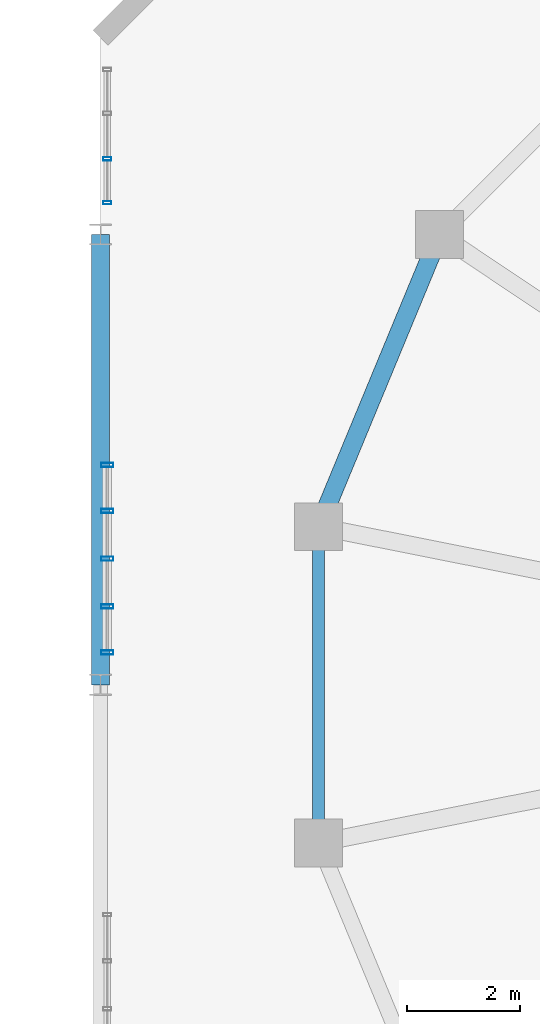
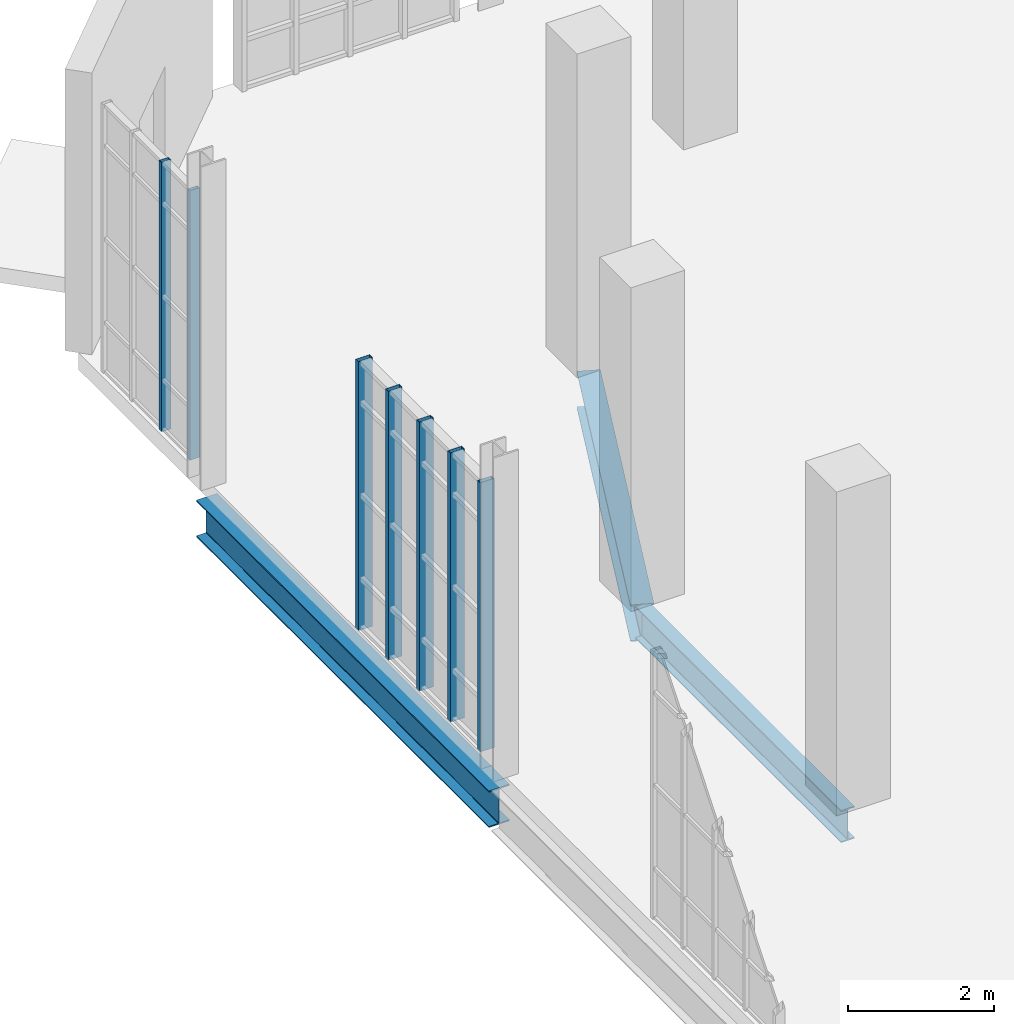
# One storey, part 80 of 189: 7 members, 3 beams, 2 elements without a shape of their own.
"""IFC4 building model written with IfcOpenShell, lengths in metres."""

from ifc_helpers import new_model, si_unit, direction, frame, origin, origin_2d, place, context, subcontext, project, spatial, hollow_rectangle, i_section, extrude, material, layer, layer_set, material_profile, profile_set, type_object, element, aggregate, save


model = new_model("IFC4")

# Units and contexts
model_context = context("Model", 3, precision=1e-05, world=origin(), true_north=direction((0.0, 1.0)))
body_context = subcontext(model_context, "Body", "Model", "MODEL_VIEW")
ifc_project = project(units=[si_unit("LENGTHUNIT", "METRE"), si_unit("AREAUNIT", "SQUARE_METRE"), si_unit("VOLUMEUNIT", "CUBIC_METRE"), si_unit("PLANEANGLEUNIT", "RADIAN"), si_unit("MASSUNIT", "GRAM", prefix="KILO"), si_unit("THERMODYNAMICTEMPERATUREUNIT", "KELVIN"), si_unit("POWERUNIT", "WATT")], contexts=[model_context])

# Site, building, storey
site_placement = place(None, origin())
site = spatial("IfcSite", under=ifc_project, at=site_placement, CompositionType="ELEMENT")
building_placement = place(site_placement, origin())
building = spatial("IfcBuilding", under=site, at=building_placement, Name="Zelmaris Science Centre", CompositionType="ELEMENT")
storey_placement = place(building_placement, origin())
storey = spatial("IfcBuildingStorey", under=building, at=storey_placement, Name="L00", CompositionType="ELEMENT", Elevation=0.0)

# Curtain wall, members
ifc_material_1 = material(Name="Anodised architectural aluminium 6063-T6", Category="aluminium")
ifc_layer_1 = layer(ifc_material_1, 0.219970703125, Name="Anodised architectural aluminium 6063-T6")
ifc_layer_set_1 = layer_set([ifc_layer_1], Name="Anodised architectural aluminium 6063-T6")
curtain_wall_type_1 = type_object("IfcCurtainWallType", Name="Curtain Wall CW-04", PredefinedType="USERDEFINED", material=ifc_layer_set_1)
curtain_wall_1_placement = place(storey_placement, origin())
curtain_wall_1 = element("IfcCurtainWall", 1, at=curtain_wall_1_placement, inside=storey, type_object=curtain_wall_type_1, Name="L00 Unitised curtain wall 16", ObjectType="GLAZED CURTAIN WALL", PredefinedType="USERDEFINED")
ifc_material_profile_1 = material_profile(ifc_material_1, hollow_rectangle(XDim=0.06005859375, YDim=0.14990234375, WallThickness=0.00341796875, at=origin_2d()), Name="ALU-MUL-60X150")
ifc_profile_set_1 = profile_set([ifc_material_profile_1], Name="Anodised architectural aluminium 6063-T6")
member_type_1 = type_object("IfcMemberType", Name="ALU-MUL-60X150", PredefinedType="MULLION", material=ifc_profile_set_1)
member_1_placement = place(storey_placement, frame((9.1201171875, 80.56591796875, -0.014892578125), z_axis=(0.0, 0.0, 1.0), x_axis=(0.0, 1.0, 0.0)))
member_1 = element("IfcMember", 2, at=member_1_placement, type_object=member_type_1, Name="CW-04 mullion 1", PredefinedType="MULLION", context=body_context, shape_type="SweptSolid", body=[
    extrude(hollow_rectangle(XDim=0.06005859375, YDim=0.14990234375, WallThickness=0.00341796875, at=origin_2d()), origin(), (0.0, 0.0, 1.0), 4.497802734375),
])
member_2_placement = place(storey_placement, frame((9.1201171875, 81.3466796875, -0.014892578125), z_axis=(0.0, 0.0, 1.0), x_axis=(0.0, 1.0, 0.0)))
member_2 = element("IfcMember", 3, at=member_2_placement, type_object=member_type_1, Name="CW-04 mullion 2", PredefinedType="MULLION", context=body_context, shape_type="SweptSolid", body=[
    extrude(hollow_rectangle(XDim=0.06005859375, YDim=0.14990234375, WallThickness=0.00341796875, at=origin_2d()), origin(), (0.0, 0.0, 1.0), 4.497802734375),
])
aggregate(curtain_wall_1, [member_1, member_2])

ifc_layer_2 = layer(ifc_material_1, 0.199951171875, Name="Anodised architectural aluminium 6063-T6")
ifc_layer_set_2 = layer_set([ifc_layer_2], Name="Anodised architectural aluminium 6063-T6")
curtain_wall_type_2 = type_object("IfcCurtainWallType", Name="Curtain Wall CW-02", PredefinedType="USERDEFINED", material=ifc_layer_set_2)
curtain_wall_2_placement = place(storey_placement, origin())
curtain_wall_2 = element("IfcCurtainWall", 4, at=curtain_wall_2_placement, inside=storey, type_object=curtain_wall_type_2, Name="L00 Unitised curtain wall 14", ObjectType="GLAZED CURTAIN WALL", PredefinedType="USERDEFINED")
ifc_material_profile_2 = material_profile(ifc_material_1, hollow_rectangle(XDim=0.074951171875, YDim=0.219970703125, WallThickness=0.0048828125, at=origin_2d()), Name="ALU-MUL-75X220")
ifc_profile_set_2 = profile_set([ifc_material_profile_2], Name="Anodised architectural aluminium 6063-T6")
member_type_2 = type_object("IfcMemberType", Name="ALU-MUL-75X220", PredefinedType="MULLION", material=ifc_profile_set_2)
member_3_placement = place(storey_placement, frame((9.1201171875, 72.573486328125, -0.014892578125), z_axis=(0.0, 0.0, 1.0), x_axis=(0.0, 1.0, 0.0)))
member_3 = element("IfcMember", 5, at=member_3_placement, type_object=member_type_2, Name="CW-02 mullion 1", PredefinedType="MULLION", context=body_context, shape_type="SweptSolid", body=[
    extrude(hollow_rectangle(XDim=0.074951171875, YDim=0.219970703125, WallThickness=0.0048828125, at=origin_2d()), origin(), (0.0, 0.0, 1.0), 4.48779296875),
])
member_4_placement = place(storey_placement, frame((9.1201171875, 73.389892578125, -0.014892578125), z_axis=(0.0, 0.0, 1.0), x_axis=(0.0, 1.0, 0.0)))
member_4 = element("IfcMember", 6, at=member_4_placement, type_object=member_type_2, Name="CW-02 mullion 2", PredefinedType="MULLION", context=body_context, shape_type="SweptSolid", body=[
    extrude(hollow_rectangle(XDim=0.074951171875, YDim=0.219970703125, WallThickness=0.0048828125, at=origin_2d()), origin(), (0.0, 0.0, 1.0), 4.48779296875),
])
member_5_placement = place(storey_placement, frame((9.1201171875, 74.239990234375, -0.014892578125), z_axis=(0.0, 0.0, 1.0), x_axis=(0.0, 1.0, 0.0)))
member_5 = element("IfcMember", 7, at=member_5_placement, type_object=member_type_2, Name="CW-02 mullion 3", PredefinedType="MULLION", context=body_context, shape_type="SweptSolid", body=[
    extrude(hollow_rectangle(XDim=0.074951171875, YDim=0.219970703125, WallThickness=0.0048828125, at=origin_2d()), origin(), (0.0, 0.0, 1.0), 4.48779296875),
])
member_6_placement = place(storey_placement, frame((9.1201171875, 75.090087890625, -0.014892578125), z_axis=(0.0, 0.0, 1.0), x_axis=(0.0, 1.0, 0.0)))
member_6 = element("IfcMember", 8, at=member_6_placement, type_object=member_type_2, Name="CW-02 mullion 4", PredefinedType="MULLION", context=body_context, shape_type="SweptSolid", body=[
    extrude(hollow_rectangle(XDim=0.074951171875, YDim=0.219970703125, WallThickness=0.0048828125, at=origin_2d()), origin(), (0.0, 0.0, 1.0), 4.48779296875),
])
member_7_placement = place(storey_placement, frame((9.1201171875, 75.906494140625, -0.014892578125), z_axis=(0.0, 0.0, 1.0), x_axis=(0.0, 1.0, 0.0)))
member_7 = element("IfcMember", 9, at=member_7_placement, type_object=member_type_2, Name="CW-02 mullion 5", PredefinedType="MULLION", context=body_context, shape_type="SweptSolid", body=[
    extrude(hollow_rectangle(XDim=0.074951171875, YDim=0.219970703125, WallThickness=0.0048828125, at=origin_2d()), origin(), (0.0, 0.0, 1.0), 4.48779296875),
])
aggregate(curtain_wall_2, [member_3, member_4, member_5, member_6, member_7])

# Beams
ifc_material_2 = material(Name="Steel ASTM A992 Grade 50", Category="steel")
ifc_material_profile_3 = material_profile(ifc_material_2, i_section(OverallWidth=0.324951171875, OverallDepth=0.612060546875, WebThickness=0.0126953125, FlangeThickness=0.01904296875, FilletRadius=0.014892578125, at=origin_2d()), Name="W24X104")
ifc_profile_set_3 = profile_set([ifc_material_profile_3], Name="Steel ASTM A992 Grade 50")
beam_type_1 = type_object("IfcBeamType", Name="Beam G-15 W24X104", PredefinedType="BEAM", material=ifc_profile_set_3)
beam_1_placement = place(storey_placement, frame((9.0, 72.0, -0.5859375), z_axis=(0.0, 1.0, 0.0), x_axis=(-1.0, 0.0, 0.0)))
element("IfcBeam", 10, at=beam_1_placement, inside=storey, type_object=beam_type_1, Name="L00 North-south girder 8", PredefinedType="BEAM", context=body_context, shape_type="SweptSolid", body=[
    extrude(i_section(OverallWidth=0.324951171875, OverallDepth=0.612060546875, WebThickness=0.0126953125, FlangeThickness=0.01904296875, FilletRadius=0.014892578125, at=origin_2d()), origin(), (0.0, 0.0, 1.0), 8.0),
])
ifc_material_profile_4 = material_profile(ifc_material_2, i_section(OverallWidth=0.324951171875, OverallDepth=0.612060546875, WebThickness=0.0126953125, FlangeThickness=0.01904296875, FilletRadius=0.014892578125, at=origin_2d()), Name="W24X104")
ifc_profile_set_4 = profile_set([ifc_material_profile_4], Name="Steel ASTM A992 Grade 50")
beam_type_2 = type_object("IfcBeamType", Name="Beam SP-01 W24X104", PredefinedType="SPANDREL", material=ifc_profile_set_4)
beam_2_placement = place(storey_placement, frame((15.02685546875, 80.000244140625, -0.5859375), z_axis=(-0.38268310735, -0.923879667137, 0.0), x_axis=(0.923879667137, -0.38268310735, 0.0)))
element("IfcBeam", 11, at=beam_2_placement, inside=storey, type_object=beam_type_2, Name="L00 Planetarium drum ring beam 7", PredefinedType="SPANDREL", context=body_context, shape_type="SweptSolid", body=[
    extrude(i_section(OverallWidth=0.324951171875, OverallDepth=0.612060546875, WebThickness=0.0126953125, FlangeThickness=0.01904296875, FilletRadius=0.014892578125, at=origin_2d()), origin(), (0.0, 0.0, 1.0), 5.61865234375),
])
ifc_material_profile_5 = material_profile(ifc_material_2, i_section(OverallWidth=0.2109375, OverallDepth=0.5380859375, WebThickness=0.01171875, FlangeThickness=0.018798828125, FilletRadius=0.013916015625, at=origin_2d()), Name="W21X73")
ifc_profile_set_5 = profile_set([ifc_material_profile_5], Name="Steel ASTM A992 Grade 50")
beam_type_3 = type_object("IfcBeamType", Name="Beam SP-02 W21X73", PredefinedType="SPANDREL", material=ifc_profile_set_5)
beam_3_placement = place(storey_placement, frame((12.876708984375, 74.809326171875, -0.549072265625), z_axis=(0.0, -1.0, 0.0), x_axis=(1.0, 0.0, 0.0)))
element("IfcBeam", 12, at=beam_3_placement, inside=storey, type_object=beam_type_3, Name="L00 Planetarium drum ring beam 8", PredefinedType="SPANDREL", context=body_context, shape_type="SweptSolid", body=[
    extrude(i_section(OverallWidth=0.2109375, OverallDepth=0.5380859375, WebThickness=0.01171875, FlangeThickness=0.018798828125, FilletRadius=0.013916015625, at=origin_2d()), origin(), (0.0, 0.0, 1.0), 5.61865234375),
])

save(model, "model.ifc")
